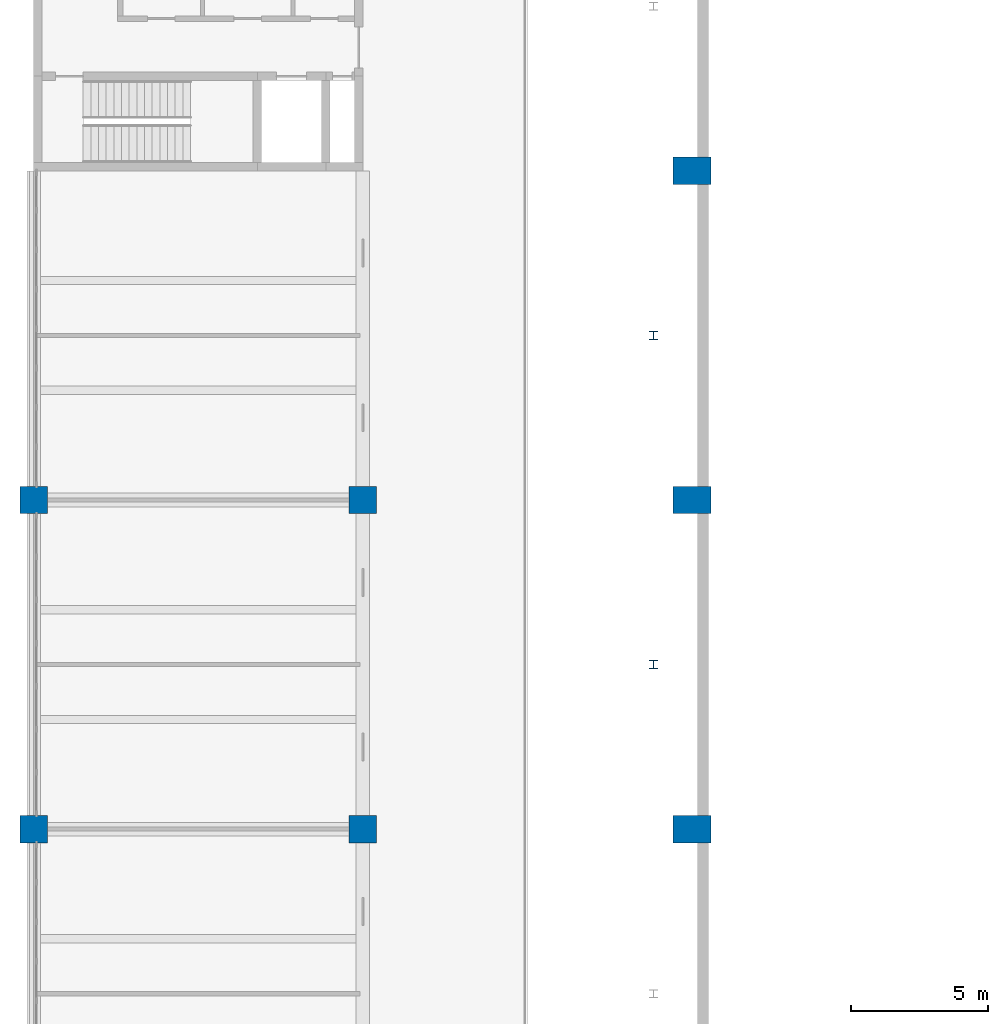
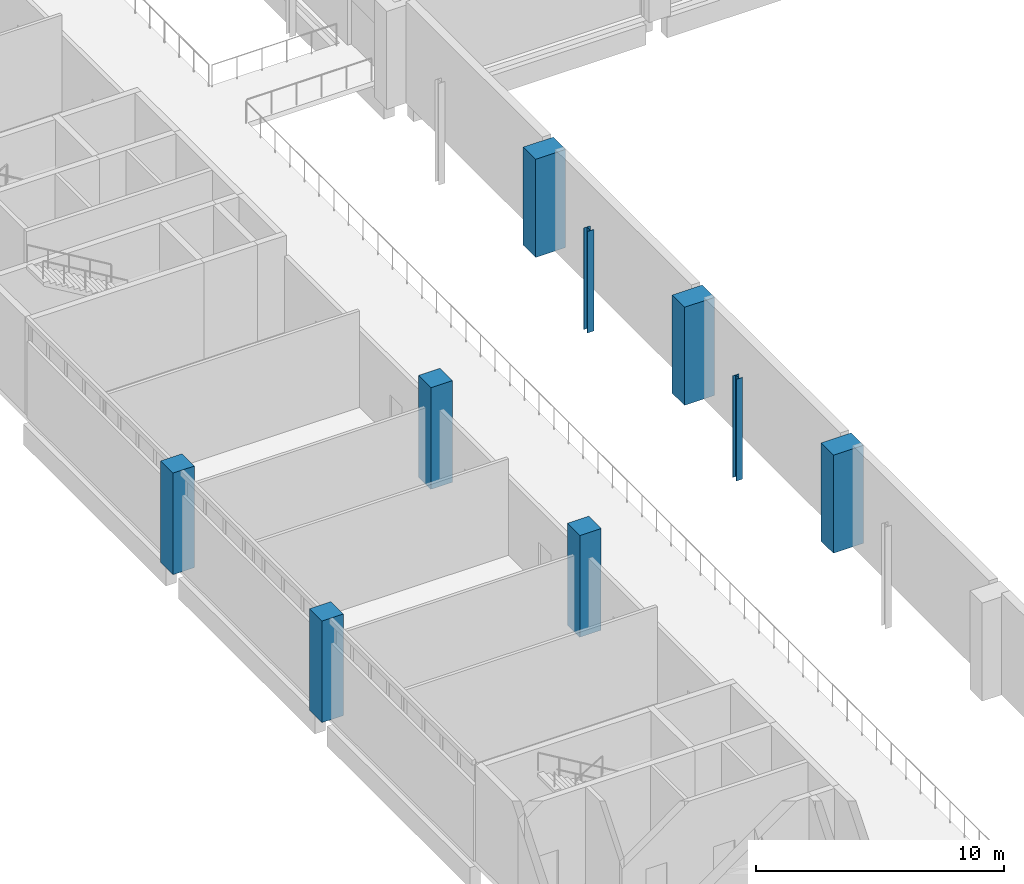
# One storey, part 2 of 69: 9 columns.
"""IFC4 building model written with IfcOpenShell, lengths in metres."""

from ifc_helpers import new_model, si_unit, direction, frame, origin, origin_2d, place, context, subcontext, project, spatial, rectangle, i_section, extrude, material, material_profile, profile_set, type_object, element, save


model = new_model("IFC4")

# Units and contexts
model_context = context("Model", 3, precision=1e-05, world=origin(), true_north=direction((0.0, 1.0)))
body_context = subcontext(model_context, "Body", "Model", "MODEL_VIEW")
ifc_project = project(units=[si_unit("LENGTHUNIT", "METRE"), si_unit("AREAUNIT", "SQUARE_METRE"), si_unit("VOLUMEUNIT", "CUBIC_METRE"), si_unit("PLANEANGLEUNIT", "RADIAN"), si_unit("MASSUNIT", "GRAM", prefix="KILO")], contexts=[model_context])

# Site, building, storey
site_placement = place(None, origin())
site = spatial("IfcSite", under=ifc_project, at=site_placement, CompositionType="ELEMENT")
building_placement = place(site_placement, origin())
building = spatial("IfcBuilding", under=site, at=building_placement, Name="Lilac Gate Convention Centre", CompositionType="ELEMENT")
storey_placement = place(building_placement, frame((0.0, 0.0, 12.0)))
storey = spatial("IfcBuildingStorey", under=building, at=storey_placement, Name="L02", CompositionType="ELEMENT", Elevation=12.0)

# Columns
ifc_material_1 = material(Name="Concrete C40", Category="concrete")
ifc_material_profile_1 = material_profile(ifc_material_1, rectangle(XDim=1.0, YDim=1.0, at=origin_2d()), Name="RC 1000x1000")
ifc_profile_set_1 = profile_set([ifc_material_profile_1], Name="Concrete C40")
column_type_1 = type_object("IfcColumnType", Name="RC column 1000x1000 C40", PredefinedType="COLUMN", material=ifc_profile_set_1)
for number, where, z_axis, x_axis, name in (
    (1, (6.0, 66.0, 0.0), (0.0, 0.0, 1.0), (1.0, 0.0, 0.0), "C1 L02 at 1/D"),
    (2, (6.0, 78.0, 0.0), (0.0, 0.0, 1.0), (1.0, 0.0, 0.0), "C1 L02 at 1/E"),
    (3, (18.0, 66.0, 0.0), (0.0, 0.0, 1.0), (1.0, 0.0, 0.0), "C1 L02 at 2/D"),
    (4, (18.0, 78.0, 0.0), (0.0, 0.0, 1.0), (1.0, 0.0, 0.0), "C1 L02 at 2/E"),
):
    element("IfcColumn", number, at=place(storey_placement, frame(where, z_axis=z_axis, x_axis=x_axis)), inside=storey, type_object=column_type_1, Name=name, PredefinedType="COLUMN", context=body_context, shape_type="SweptSolid", body=[
        extrude(rectangle(XDim=1.0, YDim=1.0, at=origin_2d()), origin(), (0.0, 0.0, 1.0), 5.0),
    ])
ifc_material_profile_2 = material_profile(ifc_material_1, rectangle(XDim=1.39990234375, YDim=1.0, at=origin_2d()), Name="RC 1400x1000")
ifc_profile_set_2 = profile_set([ifc_material_profile_2], Name="Concrete C40")
column_type_2 = type_object("IfcColumnType", Name="RC hall column 1400x1000 C40", PredefinedType="COLUMN", material=ifc_profile_set_2)
for number, where, z_axis, x_axis, name in (
    (5, (30.0, 66.0, 0.0), (0.0, 0.0, 1.0), (1.0, 0.0, 0.0), "C2 L02 at 3/D"),
    (6, (30.0, 78.0, 0.0), (0.0, 0.0, 1.0), (1.0, 0.0, 0.0), "C2 L02 at 3/E"),
    (7, (30.0, 90.0, 0.0), (0.0, 0.0, 1.0), (1.0, 0.0, 0.0), "C2 L02 at 3/F"),
):
    element("IfcColumn", number, at=place(storey_placement, frame(where, z_axis=z_axis, x_axis=x_axis)), inside=storey, type_object=column_type_2, Name=name, PredefinedType="COLUMN", context=body_context, shape_type="SweptSolid", body=[
        extrude(rectangle(XDim=1.39990234375, YDim=1.0, at=origin_2d()), origin(), (0.0, 0.0, 1.0), 4.824951171875),
    ])
ifc_material_2 = material(Name="Steel Q355B", Category="steel")
ifc_material_profile_3 = material_profile(ifc_material_2, i_section(OverallWidth=0.300048828125, OverallDepth=0.300048828125, WebThickness=0.010009765625, FlangeThickness=0.014892578125, FilletRadius=0.012939453125, at=origin_2d()), Name="HW300x300x10x15")
ifc_profile_set_3 = profile_set([ifc_material_profile_3], Name="Steel Q355B")
column_type_3 = type_object("IfcColumnType", Name="Steel column HW300x300x10x15", PredefinedType="COLUMN", material=ifc_profile_set_3)
for number, where, z_axis, x_axis, name in (
    (8, (28.60009765625, 72.0, 0.0), (0.0, 0.0, 1.0), (1.0, 0.0, 0.0), "SC1 L02 atrium column at 72"),
    (9, (28.60009765625, 84.0, 0.0), (0.0, 0.0, 1.0), (1.0, 0.0, 0.0), "SC1 L02 atrium column at 84"),
):
    element("IfcColumn", number, at=place(storey_placement, frame(where, z_axis=z_axis, x_axis=x_axis)), inside=storey, type_object=column_type_3, Name=name, PredefinedType="COLUMN", context=body_context, shape_type="SweptSolid", body=[
        extrude(i_section(OverallWidth=0.300048828125, OverallDepth=0.300048828125, WebThickness=0.010009765625, FlangeThickness=0.014892578125, FilletRadius=0.012939453125, at=origin_2d()), origin(), (0.0, 0.0, 1.0), 5.0),
    ])

save(model, "model.ifc")
